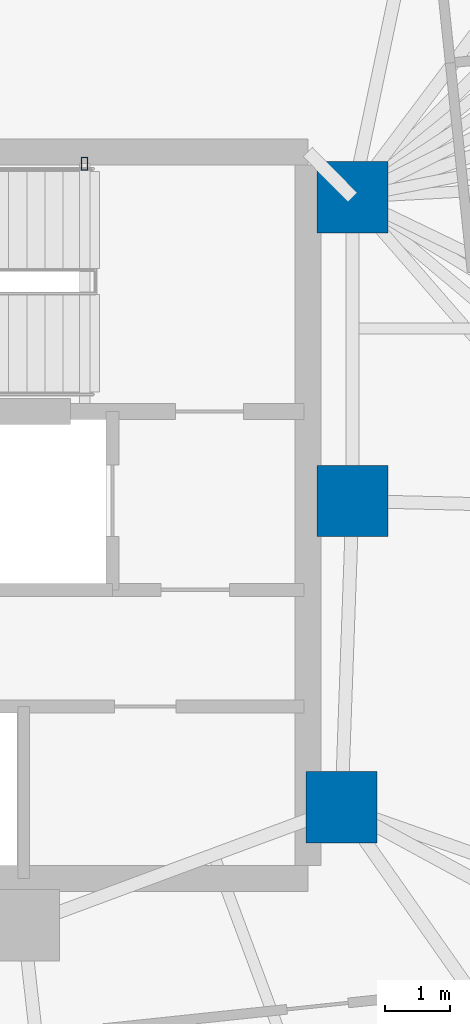
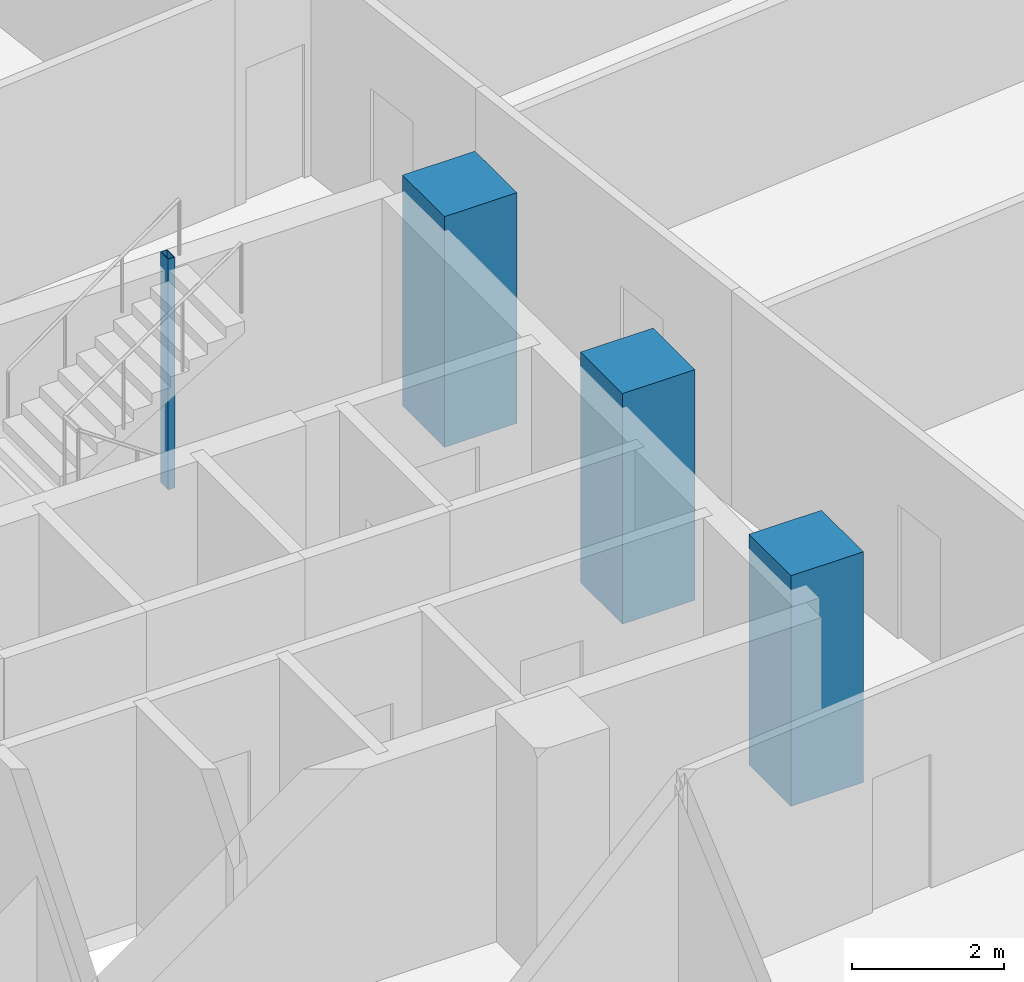
# One storey, part 4 of 18: 4 columns.
"""IFC4 building model written with IfcOpenShell, lengths in metres."""

from ifc_helpers import new_model, si_unit, direction, frame, origin, origin_2d, place, context, subcontext, project, spatial, rectangle, hollow_rectangle, extrude, material, material_profile, profile_set, type_object, element, save


model = new_model("IFC4")

# Units and contexts
model_context = context("Model", 3, precision=1e-05, world=origin(), true_north=direction((0.0, 1.0)))
body_context = subcontext(model_context, "Body", "Model", "MODEL_VIEW")
ifc_project = project(units=[si_unit("LENGTHUNIT", "METRE"), si_unit("AREAUNIT", "SQUARE_METRE"), si_unit("VOLUMEUNIT", "CUBIC_METRE"), si_unit("PLANEANGLEUNIT", "RADIAN"), si_unit("MASSUNIT", "GRAM", prefix="KILO")], contexts=[model_context])

# Site, building, storey
site_placement = place(None, origin())
site = spatial("IfcSite", under=ifc_project, at=site_placement, CompositionType="ELEMENT")
building_placement = place(site_placement, origin())
building = spatial("IfcBuilding", under=site, at=building_placement, Name="Menara Jurai Vektor", CompositionType="ELEMENT")
storey_placement = place(building_placement, frame((0.0, 0.0, 98.5)))
storey = spatial("IfcBuildingStorey", under=building, at=storey_placement, Name="L24", CompositionType="ELEMENT", Elevation=98.5)

# Columns
ifc_material_1 = material(Name="Concrete C50/60", Category="concrete")
ifc_material_profile_1 = material_profile(ifc_material_1, rectangle(XDim=1.10009765625, YDim=1.10009765625, at=origin_2d()), Name="RC 1100x1100")
ifc_profile_set_1 = profile_set([ifc_material_profile_1], Name="Concrete C50/60")
column_type_1 = type_object("IfcColumnType", Name="STR-COL-RC1100", PredefinedType="COLUMN", material=ifc_profile_set_1)
for number, where, z_axis, x_axis, name in (
    (1, (15.25, 4.89990234375, 0.0), (0.0, 0.0, 1.0), (1.0, 0.0, 0.0), "Core Spine Column CE-NE L24"),
    (2, (15.25, 0.219970703125, 0.0), (0.0, 0.0, 1.0), (1.0, 0.0, 0.0), "Core Spine Column CE-EM L24"),
    (3, (15.080078125, -4.5, 0.0), (0.0, 0.0, 1.0), (1.0, 0.0, 0.0), "Core Spine Column CE-SE L24"),
):
    element("IfcColumn", number, at=place(storey_placement, frame(where, z_axis=z_axis, x_axis=x_axis)), inside=storey, type_object=column_type_1, Name=name, PredefinedType="COLUMN", context=body_context, shape_type="SweptSolid", body=[
        extrude(rectangle(XDim=1.10009765625, YDim=1.10009765625, at=origin_2d()), origin(), (0.0, 0.0, 1.0), 3.699951171875),
    ])
ifc_material_2 = material(Name="Steel S355", Category="steel")
ifc_material_profile_2 = material_profile(ifc_material_2, hollow_rectangle(XDim=0.10009765625, YDim=0.199951171875, WallThickness=0.008056640625, at=origin_2d()), Name="RHS 200x100x8")
ifc_profile_set_2 = profile_set([ifc_material_profile_2], Name="Steel S355")
column_type_2 = type_object("IfcColumnType", Name="STR-COL-STAIR", PredefinedType="COLUMN", material=ifc_profile_set_2)
column_placement = place(storey_placement, frame((11.1201171875, 5.419921875, 0.0), z_axis=(0.0, 0.0, 1.0), x_axis=(1.0, 0.0, 0.0)))
element("IfcColumn", 4, at=column_placement, inside=storey, type_object=column_type_2, Name="Stair Well Header Column ST2-P2 L24", PredefinedType="COLUMN", context=body_context, shape_type="SweptSolid", body=[
    extrude(hollow_rectangle(XDim=0.10009765625, YDim=0.199951171875, WallThickness=0.008056640625, at=origin_2d()), origin(), (0.0, 0.0, 1.0), 3.699951171875),
])

save(model, "model.ifc")
